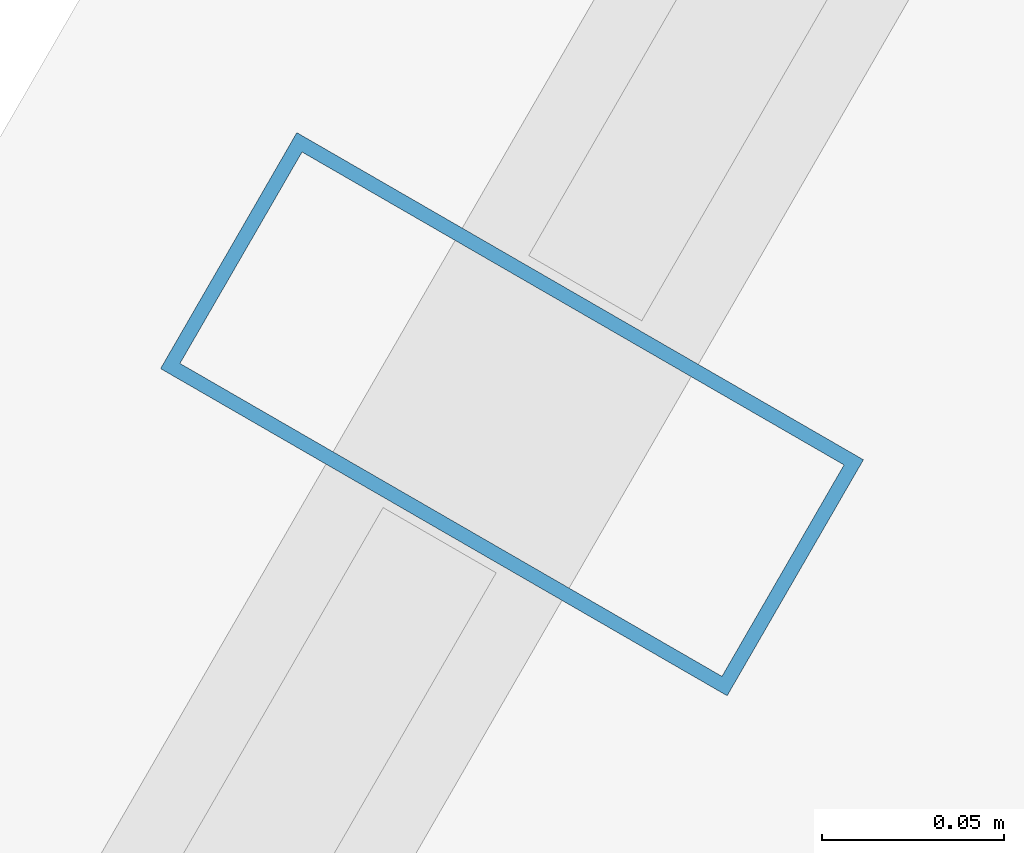
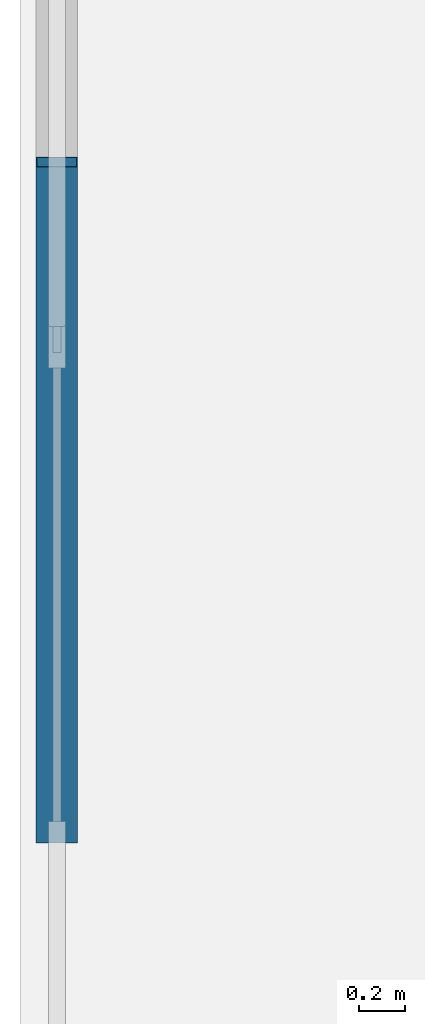
# One storey, part 14 of 33: 1 member, 1 element without a shape of its own.
"""IFC4 building model written with IfcOpenShell, lengths in metres."""

from ifc_helpers import new_model, si_unit, direction, frame, origin, origin_2d, place, context, subcontext, project, spatial, hollow_rectangle, extrude, material, layer, layer_set, material_profile, profile_set, type_object, element, aggregate, save


model = new_model("IFC4")

# Units and contexts
model_context = context("Model", 3, precision=1e-05, world=origin(), true_north=direction((0.0, 1.0)))
body_context = subcontext(model_context, "Body", "Model", "MODEL_VIEW")
ifc_project = project(units=[si_unit("LENGTHUNIT", "METRE"), si_unit("AREAUNIT", "SQUARE_METRE"), si_unit("VOLUMEUNIT", "CUBIC_METRE"), si_unit("PLANEANGLEUNIT", "RADIAN"), si_unit("MASSUNIT", "GRAM", prefix="KILO")], contexts=[model_context])

# Site, building, storey
site_placement = place(None, origin())
site = spatial("IfcSite", under=ifc_project, at=site_placement, CompositionType="ELEMENT")
building_placement = place(site_placement, origin())
building = spatial("IfcBuilding", under=site, at=building_placement, Name="Ndaravel Arena Tower", CompositionType="ELEMENT")
storey_placement = place(building_placement, frame((0.0, 0.0, 153.60009765625)))
storey = spatial("IfcBuildingStorey", under=building, at=storey_placement, Name="L36", CompositionType="ELEMENT", Elevation=153.60009765625)

# Curtain wall, member
ifc_material_1 = material(Name="Aluminium", Category="aluminium")
ifc_layer = layer(ifc_material_1, 0.179931640625)
ifc_layer_set = layer_set([ifc_layer], Name="Aluminium")
curtain_wall_type = type_object("IfcCurtainWallType", Name="CW-SYS-03", PredefinedType="NOTDEFINED", material=ifc_layer_set)
curtain_wall_placement = place(storey_placement, origin())
curtain_wall = element("IfcCurtainWall", 1, at=curtain_wall_placement, inside=storey, type_object=curtain_wall_type, Name="L36 Faceted Crystal Curtain Wall CW-L36-E05", PredefinedType="NOTDEFINED")
ifc_material_2 = material(Name="Aluminium", Category="aluminium")
ifc_material_profile = material_profile(ifc_material_2, hollow_rectangle(XDim=0.074951171875, YDim=0.179931640625, WallThickness=0.00390625, at=origin_2d()), Name="CW MULLION 75x180x4")
ifc_profile_set = profile_set([ifc_material_profile], Name="Aluminium")
member_type = type_object("IfcMemberType", Name="MEM-CW-MUL180", PredefinedType="MULLION", material=ifc_profile_set)
member_placement = place(storey_placement, frame((29.629638671875, 34.4130859375, 0.0), z_axis=(0.0, 0.0, 1.0), x_axis=(-0.5, -0.866025403784, 0.0)))
member = element("IfcMember", 2, at=member_placement, type_object=member_type, Name="CW-L36-E05 Mullion 03", PredefinedType="MULLION", context=body_context, shape_type="SweptSolid", body=[
    extrude(hollow_rectangle(XDim=0.074951171875, YDim=0.179931640625, WallThickness=0.00390625, at=origin_2d()), origin(), (0.0, 0.0, 1.0), 3.579833984375),
])
aggregate(curtain_wall, [member])

save(model, "model.ifc")
